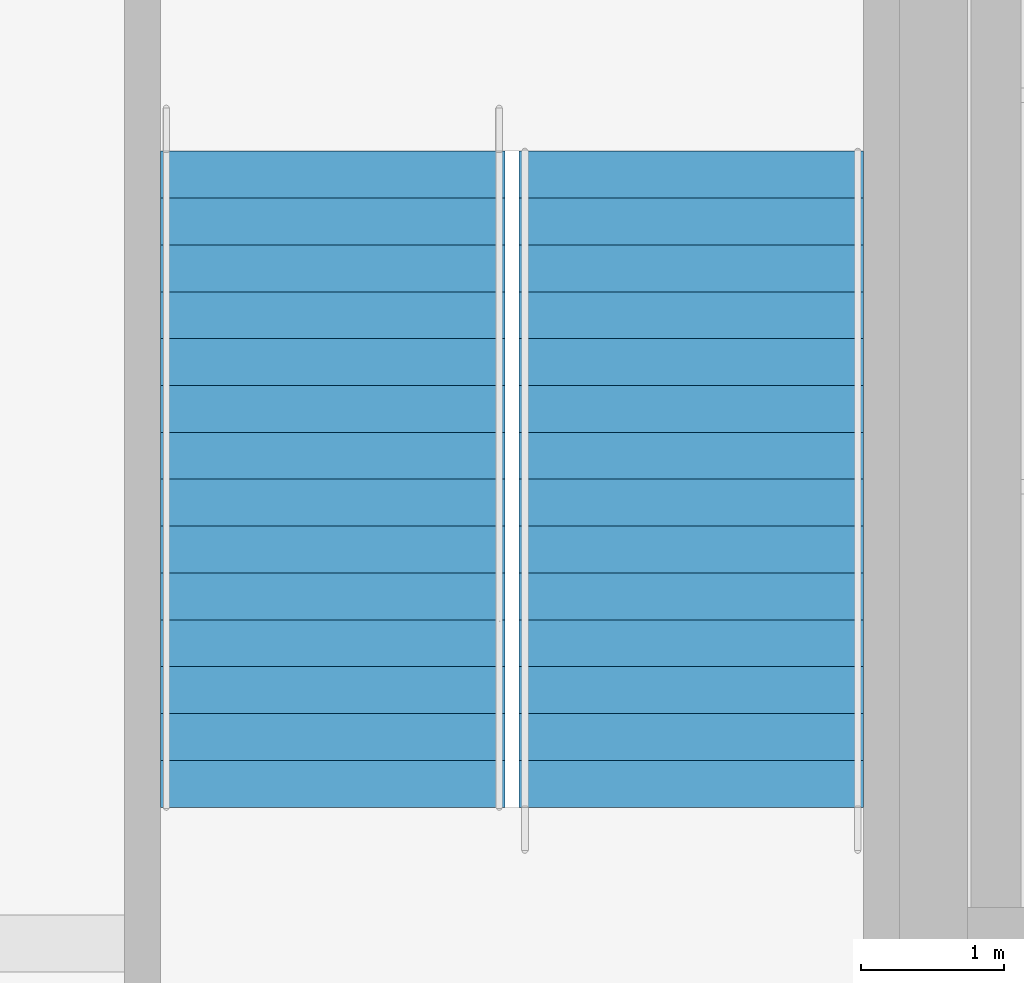
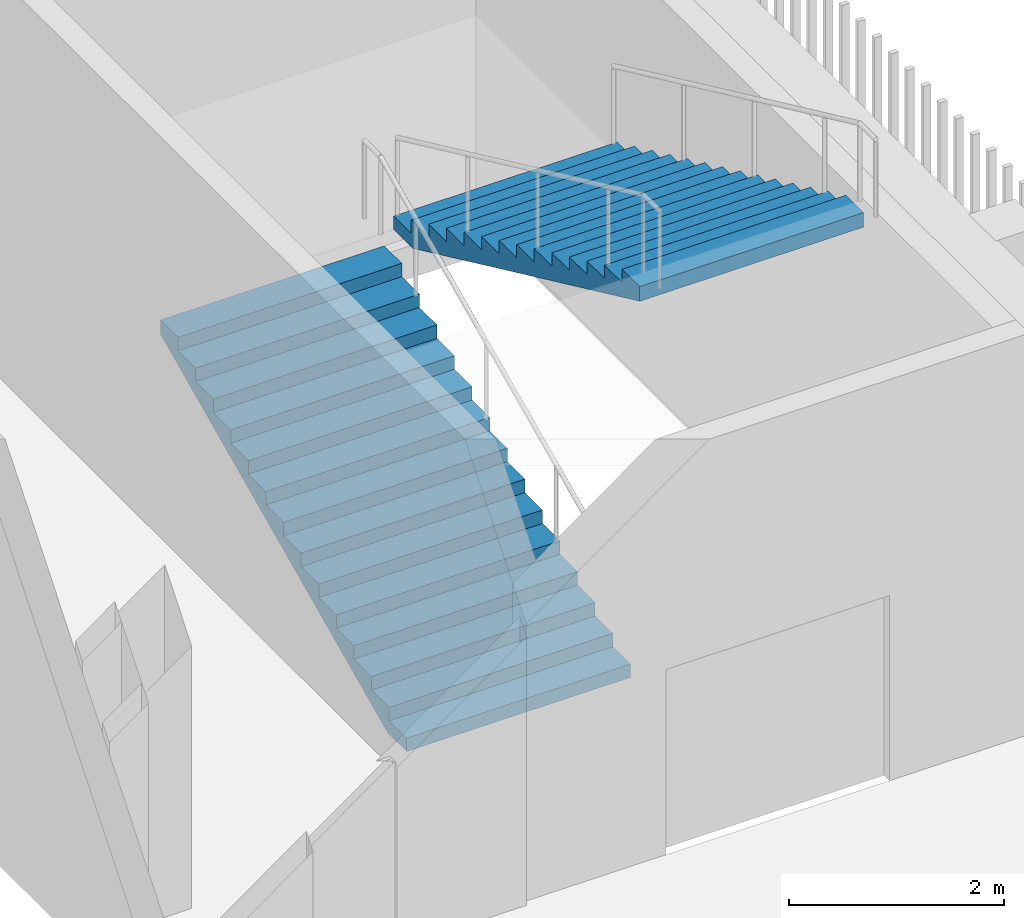
# One storey, part 59 of 91: 2 stair flights, 1 element without a shape of its own.
"""IFC4 building model written with IfcOpenShell, lengths in metres."""

from ifc_helpers import new_model, si_unit, direction, frame, origin, place, context, subcontext, project, spatial, polyline, outline, extrude, material, type_object, element, aggregate, save


model = new_model("IFC4")

# Units and contexts
model_context = context("Model", 3, precision=1e-05, world=origin(), true_north=direction((0.0, 1.0)))
body_context = subcontext(model_context, "Body", "Model", "MODEL_VIEW")
ifc_project = project(units=[si_unit("LENGTHUNIT", "METRE"), si_unit("AREAUNIT", "SQUARE_METRE"), si_unit("VOLUMEUNIT", "CUBIC_METRE"), si_unit("PLANEANGLEUNIT", "RADIAN"), si_unit("MASSUNIT", "GRAM", prefix="KILO")], contexts=[model_context])

# Site, building, storey
site_placement = place(None, origin())
site = spatial("IfcSite", under=ifc_project, at=site_placement, CompositionType="ELEMENT")
building_placement = place(site_placement, origin())
building = spatial("IfcBuilding", under=site, at=building_placement, Name="Shirokan Park Arena", CompositionType="ELEMENT")
storey_placement = place(building_placement, frame((0.0, 0.0, 24.570068359375)))
storey = spatial("IfcBuildingStorey", under=building, at=storey_placement, Name="L05", CompositionType="ELEMENT", Elevation=24.570068359375)

# Stair, stair flights
ifc_material = material(Name="Concrete C30 precast", Category="concrete")
stair_type = type_object("IfcStairType", Name="Stair 30 risers 152 x 327 2400 wide", PredefinedType="TWO_STRAIGHT_RUN_STAIR", material=ifc_material)
stair_placement = place(storey_placement, origin())
stair = element("IfcStair", 1, at=stair_placement, inside=storey, type_object=stair_type, Name="Exit Stair 3.A L05 to L06", PredefinedType="TWO_STRAIGHT_RUN_STAIR")
stair_flight_type = type_object("IfcStairFlightType", Name="Stair flight 15 risers 152 x 327 2400 wide", PredefinedType="STRAIGHT", material=ifc_material)
stair_flight_1_placement = place(storey_placement, frame((140.949951171875, 101.050048828125, 0.0), z_axis=(0.0, 0.0, 1.0), x_axis=(0.0, 1.0, 0.0)))
stair_flight_1 = element("IfcStairFlight", 2, at=stair_flight_1_placement, type_object=stair_flight_type, Name="ST16.6 flight 1", NumberOfRisers=15, NumberOfTreads=14, PredefinedType="STRAIGHT", RiserHeight=0.151666667, TreadLength=0.3267, context=body_context, shape_type="SweptSolid", body=[
    extrude(outline(polyline([(0.0, 0.0), (0.0, 0.151611328125), (0.32666015625, 0.151611328125), (0.32666015625, 0.30322265625), (0.6533203125, 0.30322265625), (0.6533203125, 0.455078125), (0.97998046875, 0.455078125), (0.97998046875, 0.606689453125), (1.306884765625, 0.606689453125), (1.306884765625, 0.75830078125), (1.633544921875, 0.75830078125), (1.633544921875, 0.909912109375), (1.960205078125, 0.909912109375), (1.960205078125, 1.061767578125), (2.286865234375, 1.061767578125), (2.286865234375, 1.21337890625), (2.613525390625, 1.21337890625), (2.613525390625, 1.364990234375), (2.940185546875, 1.364990234375), (2.940185546875, 1.5166015625), (3.26708984375, 1.5166015625), (3.26708984375, 1.668212890625), (3.59375, 1.668212890625), (3.59375, 1.820068359375), (3.92041015625, 1.820068359375), (3.92041015625, 1.9716796875), (4.2470703125, 1.9716796875), (4.2470703125, 2.123291015625), (4.57373046875, 2.123291015625), (4.57373046875, 2.27490234375), (4.57373046875, 1.9580078125), (0.35595703125, 0.0), (0.0, 0.0)])), frame((0.0, 1.199951171875, 0.0), z_axis=(0.0, -1.0, 0.0), x_axis=(1.0, 0.0, 0.0)), (0.0, 0.0, 1.0), 2.39990234375),
])
stair_flight_2_placement = place(storey_placement, frame((143.449951171875, 105.623779296875, 2.27490234375), z_axis=(0.0, 0.0, 1.0), x_axis=(0.0, -1.0, 0.0)))
stair_flight_2 = element("IfcStairFlight", 3, at=stair_flight_2_placement, type_object=stair_flight_type, Name="ST16.6 flight 2", NumberOfRisers=15, NumberOfTreads=14, PredefinedType="STRAIGHT", RiserHeight=0.151666667, TreadLength=0.3267, context=body_context, shape_type="SweptSolid", body=[
    extrude(outline(polyline([(0.0, 0.0), (0.0, 0.151611328125), (0.32666015625, 0.151611328125), (0.32666015625, 0.30322265625), (0.6533203125, 0.30322265625), (0.6533203125, 0.455078125), (0.97998046875, 0.455078125), (0.97998046875, 0.606689453125), (1.306884765625, 0.606689453125), (1.306884765625, 0.75830078125), (1.633544921875, 0.75830078125), (1.633544921875, 0.909912109375), (1.960205078125, 0.909912109375), (1.960205078125, 1.061767578125), (2.286865234375, 1.061767578125), (2.286865234375, 1.21337890625), (2.613525390625, 1.21337890625), (2.613525390625, 1.364990234375), (2.940185546875, 1.364990234375), (2.940185546875, 1.5166015625), (3.26708984375, 1.5166015625), (3.26708984375, 1.668212890625), (3.59375, 1.668212890625), (3.59375, 1.820068359375), (3.92041015625, 1.820068359375), (3.92041015625, 1.9716796875), (4.2470703125, 1.9716796875), (4.2470703125, 2.123291015625), (4.57373046875, 2.123291015625), (4.57373046875, 2.27490234375), (4.57373046875, 1.9580078125), (0.35595703125, 0.0), (0.0, 0.0)])), frame((0.0, 1.199951171875, 0.0), z_axis=(0.0, -1.0, 0.0), x_axis=(1.0, 0.0, 0.0)), (0.0, 0.0, 1.0), 2.39990234375),
])
aggregate(stair, [stair_flight_1, stair_flight_2])

save(model, "model.ifc")
